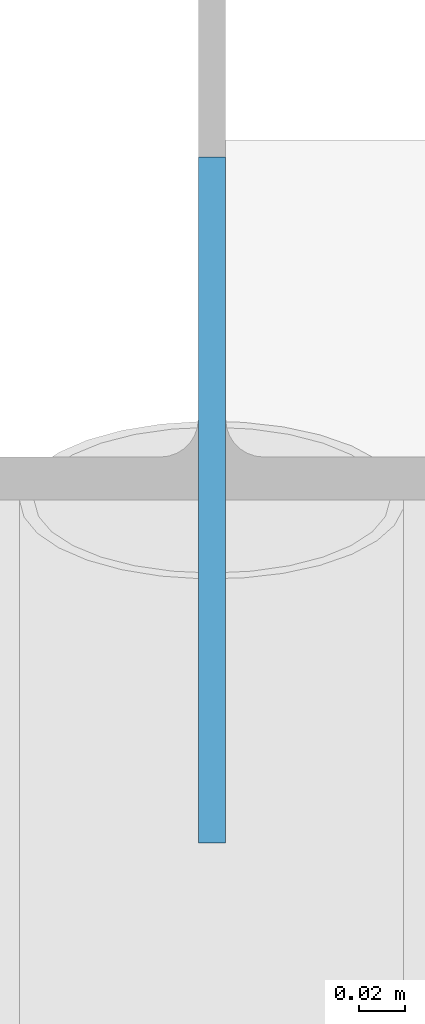
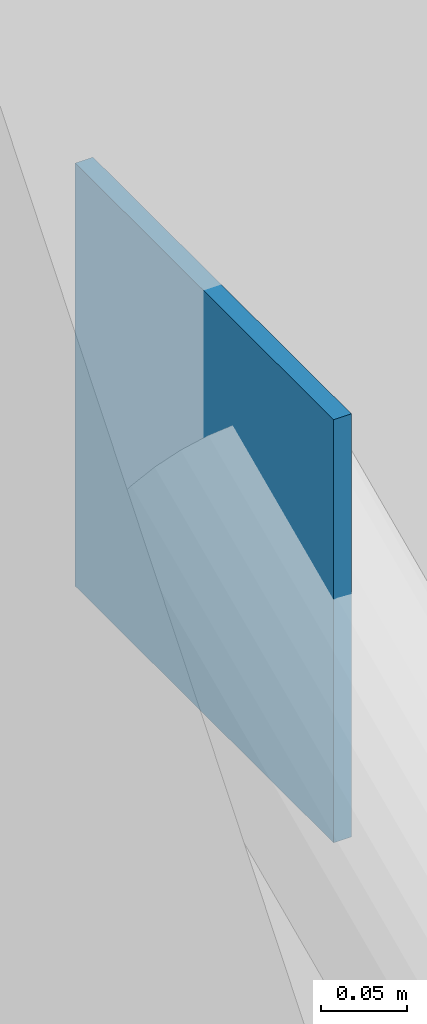
# One storey, part 55 of 62: 1 discrete accessory.
"""IFC4 building model written with IfcOpenShell, lengths in metres."""

from ifc_helpers import new_model, si_unit, direction, frame, origin, origin_2d, place, context, subcontext, project, spatial, rectangle, extrude, material, type_object, element, save


model = new_model("IFC4")

# Units and contexts
model_context = context("Model", 3, precision=1e-05, world=origin(), true_north=direction((0.0, 1.0)))
body_context = subcontext(model_context, "Body", "Model", "MODEL_VIEW")
ifc_project = project(units=[si_unit("LENGTHUNIT", "METRE"), si_unit("AREAUNIT", "SQUARE_METRE"), si_unit("VOLUMEUNIT", "CUBIC_METRE"), si_unit("PLANEANGLEUNIT", "RADIAN"), si_unit("MASSUNIT", "GRAM", prefix="KILO")], contexts=[model_context])

# Site, building, storey
site_placement = place(None, origin())
site = spatial("IfcSite", under=ifc_project, at=site_placement, CompositionType="ELEMENT")
building_placement = place(site_placement, origin())
building = spatial("IfcBuilding", under=site, at=building_placement, Name="Hortulan Conservatory and Botanical Research Centre", CompositionType="ELEMENT")
storey_placement = place(building_placement, frame((0.0, 0.0, 15.0)))
storey = spatial("IfcBuildingStorey", under=building, at=storey_placement, Name="L03", CompositionType="ELEMENT", Elevation=15.0)

# Discrete accessory
ifc_material = material(Name="Steel Grade 300 plate (AS/NZS 3678, 280 MPa minimum yield)", Category="steel")
discrete_accessory_type = type_object("IfcDiscreteAccessoryType", Name="End Plate 300x12", PredefinedType="BRACKET", material=ifc_material)
discrete_accessory_placement = place(storey_placement, frame((0.0, 71.842529296875, 3.42578125), z_axis=(0.0, 0.0, 1.0), x_axis=(0.0, -1.0, 0.0)))
element("IfcDiscreteAccessory", 1, at=discrete_accessory_placement, inside=storey, type_object=discrete_accessory_type, Name="Brace end plate", PredefinedType="BRACKET", context=body_context, shape_type="SweptSolid", body=[
    extrude(rectangle(XDim=0.300048828125, YDim=0.011962890625, at=origin_2d()), origin(), (0.0, 0.0, 1.0), 0.300048828125),
])

save(model, "model.ifc")
